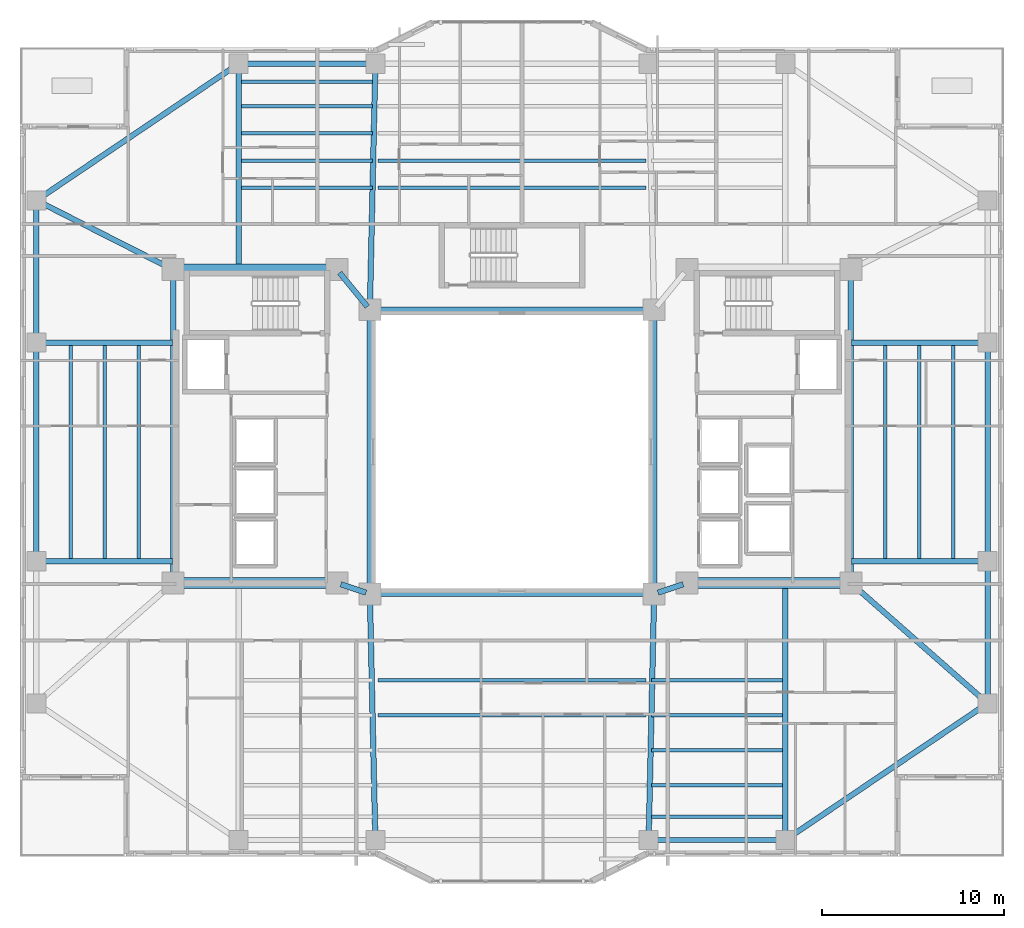
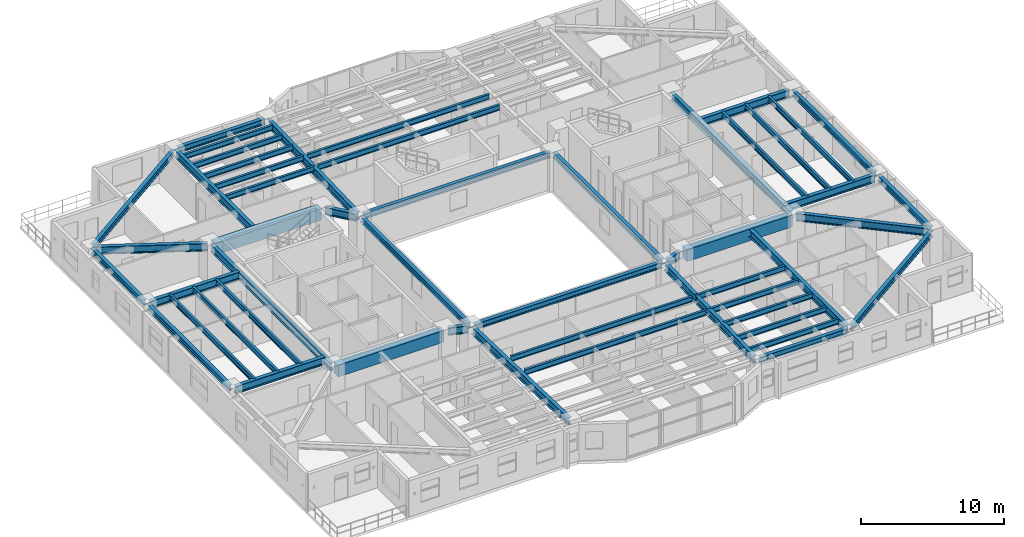
# One storey, part 3 of 19: 51 beams.
"""IFC4 building model written with IfcOpenShell, lengths in metres."""

from ifc_helpers import new_model, si_unit, direction, frame, origin, origin_2d, place, context, subcontext, project, spatial, rectangle, i_section, extrude, material, material_profile, profile_set, type_object, element, save


model = new_model("IFC4")

# Units and contexts
model_context = context("Model", 3, precision=1e-05, world=origin(), true_north=direction((0.0, 1.0)))
body_context = subcontext(model_context, "Body", "Model", "MODEL_VIEW")
ifc_project = project(units=[si_unit("LENGTHUNIT", "METRE"), si_unit("AREAUNIT", "SQUARE_METRE"), si_unit("VOLUMEUNIT", "CUBIC_METRE"), si_unit("PLANEANGLEUNIT", "RADIAN"), si_unit("MASSUNIT", "GRAM", prefix="KILO")], contexts=[model_context])

# Site, building, storey
site_placement = place(None, origin())
site = spatial("IfcSite", under=ifc_project, at=site_placement, CompositionType="ELEMENT")
building_placement = place(site_placement, origin())
building = spatial("IfcBuilding", under=site, at=building_placement, Name="Tarnavaz Court Tower", CompositionType="ELEMENT")
storey_placement = place(building_placement, frame((0.0, 0.0, 78.300048828125)))
storey = spatial("IfcBuildingStorey", under=building, at=storey_placement, Name="L20", CompositionType="ELEMENT", Elevation=78.300048828125)

# Beams
ifc_material_1 = material(Name="Concrete C60/75", Category="concrete")
ifc_material_profile_1 = material_profile(ifc_material_1, rectangle(XDim=0.60009765625, YDim=1.0, at=origin_2d()), Name="RC 600X1000")
ifc_profile_set_1 = profile_set([ifc_material_profile_1], Name="Concrete C60/75")
beam_type_1 = type_object("IfcBeamType", Name="BM-CB1000", PredefinedType="LINTEL", material=ifc_profile_set_1)
for number, where, z_axis, x_axis, name in (
    (1, (-18.3798828125, -7.199951171875, 2.599853515625), (1.0, 0.0, 0.0), (0.0, 1.0, 0.0), "L20 Beam IN-CW-SO-CW-SI"),
    (2, (-18.3798828125, 10.0, 2.599853515625), (1.0, 0.0, 0.0), (0.0, 1.0, 0.0), "L20 Beam IN-CW-NO-CW-NI"),
    (3, (18.3798828125, -7.199951171875, 2.599853515625), (-1.0, 0.0, 0.0), (0.0, -1.0, 0.0), "L20 Beam IN-CE-SO-CE-SI"),
):
    element("IfcBeam", number, at=place(storey_placement, frame(where, z_axis=z_axis, x_axis=x_axis)), inside=storey, type_object=beam_type_1, Name=name, PredefinedType="LINTEL", context=body_context, shape_type="SweptSolid", body=[
        extrude(rectangle(XDim=0.60009765625, YDim=1.0, at=origin_2d()), origin(), (0.0, 0.0, 1.0), 8.559814453125),
    ])
ifc_material_2 = material(Name="Steel S355", Category="steel")
ifc_material_profile_2 = material_profile(ifc_material_2, i_section(OverallWidth=0.300048828125, OverallDepth=0.64990234375, WebThickness=0.01611328125, FlangeThickness=0.031005859375, FilletRadius=0.027099609375, at=origin_2d()), Name="HEB 650")
ifc_profile_set_2 = profile_set([ifc_material_profile_2], Name="Steel S355")
beam_type_2 = type_object("IfcBeamType", Name="BM-G-HEB650", PredefinedType="USERDEFINED", material=ifc_profile_set_2)
for number, where, z_axis, x_axis, name in (
    (4, (-9.391357421875, -7.26953125, 2.77490234375), (0.948666544706, -0.316278021615, 0.0), (0.316278021615, 0.948666544706, 0.0), "L20 Beam IN-CW-SI-IW-SW"),
    (5, (9.391357421875, -7.26953125, 2.77490234375), (-0.948666544706, -0.316278021615, 0.0), (0.316278021615, -0.948666544706, 0.0), "L20 Beam IN-CE-SI-IW-SE"),
):
    element("IfcBeam", number, at=place(storey_placement, frame(where, z_axis=z_axis, x_axis=x_axis)), inside=storey, type_object=beam_type_2, Name=name, ObjectType="GIRDER", PredefinedType="USERDEFINED", context=body_context, shape_type="SweptSolid", body=[
        extrude(i_section(OverallWidth=0.300048828125, OverallDepth=0.64990234375, WebThickness=0.01611328125, FlangeThickness=0.031005859375, FilletRadius=0.027099609375, at=origin_2d()), origin(), (0.0, 0.0, 1.0), 1.457275390625),
    ])
beam_1_placement = place(storey_placement, frame((-9.460693359375, 9.82958984375, 2.77490234375), z_axis=(0.633282058357, -0.773921077735, 0.0), x_axis=(0.773921077735, 0.633282058357, 0.0)))
element("IfcBeam", 6, at=beam_1_placement, inside=storey, type_object=beam_type_2, Name="L20 Beam IN-CW-NI-IW-NW", ObjectType="GIRDER", PredefinedType="USERDEFINED", context=body_context, shape_type="SweptSolid", body=[
    extrude(i_section(OverallWidth=0.300048828125, OverallDepth=0.64990234375, WebThickness=0.01611328125, FlangeThickness=0.031005859375, FilletRadius=0.027099609375, at=origin_2d()), origin(), (0.0, 0.0, 1.0), 2.402587890625),
])
for number, where, z_axis, x_axis, name in (
    (7, (-18.60009765625, -6.97998046875, 2.77490234375), (0.0, 1.0, 0.0), (-1.0, 0.0, 0.0), "L20 Beam IN-CW-SO-CW-NO"),
    (8, (18.60009765625, -6.97998046875, 2.77490234375), (0.0, 1.0, 0.0), (-1.0, 0.0, 0.0), "L20 Beam IN-CE-SO-CE-NO"),
):
    element("IfcBeam", number, at=place(storey_placement, frame(where, z_axis=z_axis, x_axis=x_axis)), inside=storey, type_object=beam_type_2, Name=name, ObjectType="GIRDER", PredefinedType="USERDEFINED", context=body_context, shape_type="SweptSolid", body=[
        extrude(i_section(OverallWidth=0.300048828125, OverallDepth=0.64990234375, WebThickness=0.01611328125, FlangeThickness=0.031005859375, FilletRadius=0.027099609375, at=origin_2d()), origin(), (0.0, 0.0, 1.0), 16.760009765625),
    ])
beam_2_placement = place(storey_placement, frame((-15.0, 10.0400390625, 2.77490234375), z_axis=(0.0, 1.0, 0.0), x_axis=(-1.0, 0.0, 0.0)))
element("IfcBeam", 9, at=beam_2_placement, inside=storey, type_object=beam_type_2, Name="L20 Beam RG-01", ObjectType="GIRDER", PredefinedType="USERDEFINED", context=body_context, shape_type="SweptSolid", body=[
    extrude(i_section(OverallWidth=0.300048828125, OverallDepth=0.64990234375, WebThickness=0.01611328125, FlangeThickness=0.031005859375, FilletRadius=0.027099609375, at=origin_2d()), origin(), (0.0, 0.0, 1.0), 11.0400390625),
])
for number, where, z_axis, x_axis, name in (
    (10, (-7.795166015625, 8.02001953125, 2.77490234375), (0.022221303469, 0.99975307635, 0.0), (-0.99975307635, 0.022221303469, 0.0), "L20 Beam RG-02"),
    (11, (-7.795166015625, -8.02001953125, 2.77490234375), (0.022221303469, -0.99975307635, 0.0), (0.99975307635, 0.022221303469, 0.0), "L20 Beam RG-06"),
    (12, (7.795166015625, -8.02001953125, 2.77490234375), (-0.022221303469, -0.99975307635, 0.0), (0.99975307635, -0.022221303469, 0.0), "L20 Beam RG-07"),
):
    element("IfcBeam", number, at=place(storey_placement, frame(where, z_axis=z_axis, x_axis=x_axis)), inside=storey, type_object=beam_type_2, Name=name, ObjectType="GIRDER", PredefinedType="USERDEFINED", context=body_context, shape_type="SweptSolid", body=[
        extrude(i_section(OverallWidth=0.300048828125, OverallDepth=0.64990234375, WebThickness=0.01611328125, FlangeThickness=0.031005859375, FilletRadius=0.027099609375, at=origin_2d()), origin(), (0.0, 0.0, 1.0), 13.063232421875),
    ])
beam_3_placement = place(storey_placement, frame((15.0, -7.239990234375, 2.77490234375), z_axis=(0.0, -1.0, 0.0), x_axis=(1.0, 0.0, 0.0)))
element("IfcBeam", 13, at=beam_3_placement, inside=storey, type_object=beam_type_2, Name="L20 Beam RG-08", ObjectType="GIRDER", PredefinedType="USERDEFINED", context=body_context, shape_type="SweptSolid", body=[
    extrude(i_section(OverallWidth=0.300048828125, OverallDepth=0.64990234375, WebThickness=0.01611328125, FlangeThickness=0.031005859375, FilletRadius=0.027099609375, at=origin_2d()), origin(), (0.0, 0.0, 1.0), 13.840087890625),
])
for number, where, z_axis, x_axis, name in (
    (14, (18.639892578125, -6.0, 2.77490234375), (1.0, 0.0, 0.0), (0.0, 1.0, 0.0), "L20 Beam RG-09"),
    (15, (18.639892578125, 6.0, 2.77490234375), (1.0, 0.0, 0.0), (0.0, 1.0, 0.0), "L20 Beam RG-10"),
):
    element("IfcBeam", number, at=place(storey_placement, frame(where, z_axis=z_axis, x_axis=x_axis)), inside=storey, type_object=beam_type_2, Name=name, ObjectType="GIRDER", PredefinedType="USERDEFINED", context=body_context, shape_type="SweptSolid", body=[
        extrude(i_section(OverallWidth=0.300048828125, OverallDepth=0.64990234375, WebThickness=0.01611328125, FlangeThickness=0.031005859375, FilletRadius=0.027099609375, at=origin_2d()), origin(), (0.0, 0.0, 1.0), 7.239990234375),
    ])
beam_4_placement = place(storey_placement, frame((18.76513671875, -7.34521484375, 2.77490234375), z_axis=(0.750700332035, -0.660642877417, 0.0), x_axis=(0.660642877417, 0.750700332035, 0.0)))
element("IfcBeam", 16, at=beam_4_placement, inside=storey, type_object=beam_type_2, Name="L20 Beam RG-11", ObjectType="GIRDER", PredefinedType="USERDEFINED", context=body_context, shape_type="SweptSolid", body=[
    extrude(i_section(OverallWidth=0.300048828125, OverallDepth=0.64990234375, WebThickness=0.01611328125, FlangeThickness=0.031005859375, FilletRadius=0.027099609375, at=origin_2d()), origin(), (0.0, 0.0, 1.0), 9.550537109375),
])
for number, where, z_axis, x_axis, name in (
    (17, (-18.639892578125, -6.0, 2.77490234375), (-1.0, 0.0, 0.0), (0.0, -1.0, 0.0), "L20 Beam RG-13"),
    (18, (-18.639892578125, 6.0, 2.77490234375), (-1.0, 0.0, 0.0), (0.0, -1.0, 0.0), "L20 Beam RG-14"),
):
    element("IfcBeam", number, at=place(storey_placement, frame(where, z_axis=z_axis, x_axis=x_axis)), inside=storey, type_object=beam_type_2, Name=name, ObjectType="GIRDER", PredefinedType="USERDEFINED", context=body_context, shape_type="SweptSolid", body=[
        extrude(i_section(OverallWidth=0.300048828125, OverallDepth=0.64990234375, WebThickness=0.01611328125, FlangeThickness=0.031005859375, FilletRadius=0.027099609375, at=origin_2d()), origin(), (0.0, 0.0, 1.0), 7.239990234375),
    ])
beam_5_placement = place(storey_placement, frame((-18.796142578125, 10.099365234375, 2.77490234375), z_axis=(-0.892030669981, 0.451974870776, 0.0), x_axis=(-0.451974870776, -0.892030669981, 0.0)))
element("IfcBeam", 19, at=beam_5_placement, inside=storey, type_object=beam_type_2, Name="L20 Beam RG-16", ObjectType="GIRDER", PredefinedType="USERDEFINED", context=body_context, shape_type="SweptSolid", body=[
    extrude(i_section(OverallWidth=0.300048828125, OverallDepth=0.64990234375, WebThickness=0.01611328125, FlangeThickness=0.031005859375, FilletRadius=0.027099609375, at=origin_2d()), origin(), (0.0, 0.0, 1.0), 7.968017578125),
])
ifc_material_profile_3 = material_profile(ifc_material_2, i_section(OverallWidth=0.18994140625, OverallDepth=0.449951171875, WebThickness=0.009521484375, FlangeThickness=0.0146484375, FilletRadius=0.02099609375, at=origin_2d()), Name="IPE 450")
ifc_profile_set_3 = profile_set([ifc_material_profile_3], Name="Steel S355")
beam_type_3 = type_object("IfcBeamType", Name="BM-J-IPE450", PredefinedType="JOIST", material=ifc_profile_set_3)
beam_6_placement = place(storey_placement, frame((-14.85009765625, 14.493896484375, 2.875), z_axis=(1.0, 0.0, 0.0), x_axis=(0.0, 1.0, 0.0)))
element("IfcBeam", 20, at=beam_6_placement, inside=storey, type_object=beam_type_3, Name="L20 Beam JN1-1", PredefinedType="JOIST", context=body_context, shape_type="SweptSolid", body=[
    extrude(i_section(OverallWidth=0.18994140625, OverallDepth=0.449951171875, WebThickness=0.009521484375, FlangeThickness=0.0146484375, FilletRadius=0.02099609375, at=origin_2d()), origin(), (0.0, 0.0, 1.0), 7.2001953125),
])
for number, where, z_axis, x_axis, name in (
    (21, (-7.35009765625, 14.493896484375, 2.875), (1.0, 0.0, 0.0), (0.0, 1.0, 0.0), "L20 Beam JN1-2"),
    (22, (-7.35009765625, -12.52587890625, 2.875), (1.0, 0.0, 0.0), (0.0, 1.0, 0.0), "L20 Beam JS1-2"),
):
    element("IfcBeam", number, at=place(storey_placement, frame(where, z_axis=z_axis, x_axis=x_axis)), inside=storey, type_object=beam_type_3, Name=name, PredefinedType="JOIST", context=body_context, shape_type="SweptSolid", body=[
        extrude(i_section(OverallWidth=0.18994140625, OverallDepth=0.449951171875, WebThickness=0.009521484375, FlangeThickness=0.0146484375, FilletRadius=0.02099609375, at=origin_2d()), origin(), (0.0, 0.0, 1.0), 14.7001953125),
    ])
for number, where, z_axis, x_axis, name in (
    (23, (7.64990234375, -12.52587890625, 2.875), (1.0, 0.0, 0.0), (0.0, 1.0, 0.0), "L20 Beam JS1-3"),
    (24, (-14.85009765625, 15.988037109375, 2.875), (1.0, 0.0, 0.0), (0.0, 1.0, 0.0), "L20 Beam JN2-1"),
):
    element("IfcBeam", number, at=place(storey_placement, frame(where, z_axis=z_axis, x_axis=x_axis)), inside=storey, type_object=beam_type_3, Name=name, PredefinedType="JOIST", context=body_context, shape_type="SweptSolid", body=[
        extrude(i_section(OverallWidth=0.18994140625, OverallDepth=0.449951171875, WebThickness=0.009521484375, FlangeThickness=0.0146484375, FilletRadius=0.02099609375, at=origin_2d()), origin(), (0.0, 0.0, 1.0), 7.2001953125),
    ])
for number, where, z_axis, x_axis, name in (
    (25, (-7.35009765625, 15.988037109375, 2.875), (1.0, 0.0, 0.0), (0.0, 1.0, 0.0), "L20 Beam JN2-2"),
    (26, (-7.35009765625, -14.451904296875, 2.875), (1.0, 0.0, 0.0), (0.0, 1.0, 0.0), "L20 Beam JS2-2"),
):
    element("IfcBeam", number, at=place(storey_placement, frame(where, z_axis=z_axis, x_axis=x_axis)), inside=storey, type_object=beam_type_3, Name=name, PredefinedType="JOIST", context=body_context, shape_type="SweptSolid", body=[
        extrude(i_section(OverallWidth=0.18994140625, OverallDepth=0.449951171875, WebThickness=0.009521484375, FlangeThickness=0.0146484375, FilletRadius=0.02099609375, at=origin_2d()), origin(), (0.0, 0.0, 1.0), 14.7001953125),
    ])
for number, where, z_axis, x_axis, name in (
    (27, (7.64990234375, -14.451904296875, 2.875), (1.0, 0.0, 0.0), (0.0, 1.0, 0.0), "L20 Beam JS2-3"),
    (28, (-14.85009765625, 17.48193359375, 2.875), (1.0, 0.0, 0.0), (0.0, 1.0, 0.0), "L20 Beam JN3-1"),
    (29, (7.64990234375, -16.3779296875, 2.875), (1.0, 0.0, 0.0), (0.0, 1.0, 0.0), "L20 Beam JS3-3"),
    (30, (-14.85009765625, 18.97607421875, 2.875), (1.0, 0.0, 0.0), (0.0, 1.0, 0.0), "L20 Beam JN4-1"),
    (31, (7.64990234375, -18.303955078125, 2.875), (1.0, 0.0, 0.0), (0.0, 1.0, 0.0), "L20 Beam JS4-3"),
    (32, (-14.85009765625, 20.303955078125, 2.875), (1.0, 0.0, 0.0), (0.0, 1.0, 0.0), "L20 Beam JN5-1"),
    (33, (7.64990234375, -20.01611328125, 2.875), (1.0, 0.0, 0.0), (0.0, 1.0, 0.0), "L20 Beam JS5-3"),
):
    element("IfcBeam", number, at=place(storey_placement, frame(where, z_axis=z_axis, x_axis=x_axis)), inside=storey, type_object=beam_type_3, Name=name, PredefinedType="JOIST", context=body_context, shape_type="SweptSolid", body=[
        extrude(i_section(OverallWidth=0.18994140625, OverallDepth=0.449951171875, WebThickness=0.009521484375, FlangeThickness=0.0146484375, FilletRadius=0.02099609375, at=origin_2d()), origin(), (0.0, 0.0, 1.0), 7.2001953125),
    ])
for number, where, z_axis, x_axis, name in (
    (34, (20.47509765625, -5.9599609375, 2.875), (0.0, 1.0, 0.0), (-1.0, 0.0, 0.0), "L20 Beam JE1"),
    (35, (-20.47509765625, -5.9599609375, 2.875), (0.0, 1.0, 0.0), (-1.0, 0.0, 0.0), "L20 Beam JW1"),
    (36, (22.35009765625, -5.9599609375, 2.875), (0.0, 1.0, 0.0), (-1.0, 0.0, 0.0), "L20 Beam JE2"),
    (37, (-22.35009765625, -5.9599609375, 2.875), (0.0, 1.0, 0.0), (-1.0, 0.0, 0.0), "L20 Beam JW2"),
    (38, (24.22509765625, -5.9599609375, 2.875), (0.0, 1.0, 0.0), (-1.0, 0.0, 0.0), "L20 Beam JE3"),
    (39, (-24.22509765625, -5.9599609375, 2.875), (0.0, 1.0, 0.0), (-1.0, 0.0, 0.0), "L20 Beam JW3"),
):
    element("IfcBeam", number, at=place(storey_placement, frame(where, z_axis=z_axis, x_axis=x_axis)), inside=storey, type_object=beam_type_3, Name=name, PredefinedType="JOIST", context=body_context, shape_type="SweptSolid", body=[
        extrude(i_section(OverallWidth=0.18994140625, OverallDepth=0.449951171875, WebThickness=0.009521484375, FlangeThickness=0.0146484375, FilletRadius=0.02099609375, at=origin_2d()), origin(), (0.0, 0.0, 1.0), 11.919921875),
    ])
ifc_material_profile_4 = material_profile(ifc_material_2, i_section(OverallWidth=0.300048828125, OverallDepth=0.489990234375, WebThickness=0.011962890625, FlangeThickness=0.02294921875, FilletRadius=0.027099609375, at=origin_2d()), Name="HEA 500")
ifc_profile_set_4 = profile_set([ifc_material_profile_4], Name="Steel S355")
beam_type_4 = type_object("IfcBeamType", Name="BM-SP-HEA500", PredefinedType="SPANDREL", material=ifc_profile_set_4)
for number, where, z_axis, x_axis, name in (
    (40, (-7.580078125, -7.800048828125, 2.85498046875), (1.0, 0.0, 0.0), (0.0, 1.0, 0.0), "L20 Beam IN-IW-SW-IW-SE"),
    (41, (-7.580078125, 7.800048828125, 2.85498046875), (1.0, 0.0, 0.0), (0.0, 1.0, 0.0), "L20 Beam IN-IW-NW-IW-NE"),
    (42, (-7.800048828125, -7.580078125, 2.85498046875), (0.0, 1.0, 0.0), (-1.0, 0.0, 0.0), "L20 Beam IN-IW-SW-IW-NW"),
    (43, (7.800048828125, -7.580078125, 2.85498046875), (0.0, 1.0, 0.0), (-1.0, 0.0, 0.0), "L20 Beam IN-IW-SE-IW-NE"),
):
    element("IfcBeam", number, at=place(storey_placement, frame(where, z_axis=z_axis, x_axis=x_axis)), inside=storey, type_object=beam_type_4, Name=name, PredefinedType="SPANDREL", context=body_context, shape_type="SweptSolid", body=[
        extrude(i_section(OverallWidth=0.300048828125, OverallDepth=0.489990234375, WebThickness=0.011962890625, FlangeThickness=0.02294921875, FilletRadius=0.027099609375, at=origin_2d()), origin(), (0.0, 0.0, 1.0), 15.16015625),
    ])
for number, where, z_axis, x_axis, name in (
    (44, (-14.780029296875, 21.300048828125, 2.85498046875), (1.0, 0.0, 0.0), (0.0, 1.0, 0.0), "L20 Beam PR-PN-1-PN-2"),
    (45, (7.719970703125, -21.300048828125, 2.85498046875), (1.0, 0.0, 0.0), (0.0, 1.0, 0.0), "L20 Beam PR-PS-3-PS-4"),
):
    element("IfcBeam", number, at=place(storey_placement, frame(where, z_axis=z_axis, x_axis=x_axis)), inside=storey, type_object=beam_type_4, Name=name, PredefinedType="SPANDREL", context=body_context, shape_type="SweptSolid", body=[
        extrude(i_section(OverallWidth=0.300048828125, OverallDepth=0.489990234375, WebThickness=0.011962890625, FlangeThickness=0.02294921875, FilletRadius=0.027099609375, at=origin_2d()), origin(), (0.0, 0.0, 1.0), 7.06005859375),
    ])
beam_7_placement = place(storey_placement, frame((26.10009765625, -13.580078125, 2.85498046875), z_axis=(0.0, 1.0, 0.0), x_axis=(-1.0, 0.0, 0.0)))
element("IfcBeam", 46, at=beam_7_placement, inside=storey, type_object=beam_type_4, Name="L20 Beam PR-PE-1-PE-2", PredefinedType="SPANDREL", context=body_context, shape_type="SweptSolid", body=[
    extrude(i_section(OverallWidth=0.300048828125, OverallDepth=0.489990234375, WebThickness=0.011962890625, FlangeThickness=0.02294921875, FilletRadius=0.027099609375, at=origin_2d()), origin(), (0.0, 0.0, 1.0), 7.360107421875),
])
for number, where, z_axis, x_axis, name in (
    (47, (26.10009765625, -5.780029296875, 2.85498046875), (0.0, 1.0, 0.0), (-1.0, 0.0, 0.0), "L20 Beam PR-PE-2-PE-3"),
    (48, (-26.10009765625, -5.780029296875, 2.85498046875), (0.0, 1.0, 0.0), (-1.0, 0.0, 0.0), "L20 Beam PR-PW-2-PW-3"),
):
    element("IfcBeam", number, at=place(storey_placement, frame(where, z_axis=z_axis, x_axis=x_axis)), inside=storey, type_object=beam_type_4, Name=name, PredefinedType="SPANDREL", context=body_context, shape_type="SweptSolid", body=[
        extrude(i_section(OverallWidth=0.300048828125, OverallDepth=0.489990234375, WebThickness=0.011962890625, FlangeThickness=0.02294921875, FilletRadius=0.027099609375, at=origin_2d()), origin(), (0.0, 0.0, 1.0), 11.56005859375),
    ])
beam_8_placement = place(storey_placement, frame((-26.10009765625, 6.219970703125, 2.85498046875), z_axis=(0.0, 1.0, 0.0), x_axis=(-1.0, 0.0, 0.0)))
element("IfcBeam", 49, at=beam_8_placement, inside=storey, type_object=beam_type_4, Name="L20 Beam PR-PW-3-PW-4", PredefinedType="SPANDREL", context=body_context, shape_type="SweptSolid", body=[
    extrude(i_section(OverallWidth=0.300048828125, OverallDepth=0.489990234375, WebThickness=0.011962890625, FlangeThickness=0.02294921875, FilletRadius=0.027099609375, at=origin_2d()), origin(), (0.0, 0.0, 1.0), 7.360107421875),
])
for number, where, z_axis, x_axis, name in (
    (50, (25.917724609375, -13.923095703125, 2.85498046875), (-0.828587314918, -0.559859858854, 0.0), (0.559859858854, -0.828587314918, 0.0), "L20 Beam PR-PE-1-PS-4"),
    (51, (-25.917724609375, 13.923095703125, 2.85498046875), (0.828587314918, 0.559859858854, 0.0), (-0.559859858854, 0.828587314918, 0.0), "L20 Beam PR-PW-4-PN-1"),
):
    element("IfcBeam", number, at=place(storey_placement, frame(where, z_axis=z_axis, x_axis=x_axis)), inside=storey, type_object=beam_type_4, Name=name, PredefinedType="SPANDREL", context=body_context, shape_type="SweptSolid", body=[
        extrude(i_section(OverallWidth=0.300048828125, OverallDepth=0.489990234375, WebThickness=0.011962890625, FlangeThickness=0.02294921875, FilletRadius=0.027099609375, at=origin_2d()), origin(), (0.0, 0.0, 1.0), 12.956298828125),
    ])

save(model, "model.ifc")
